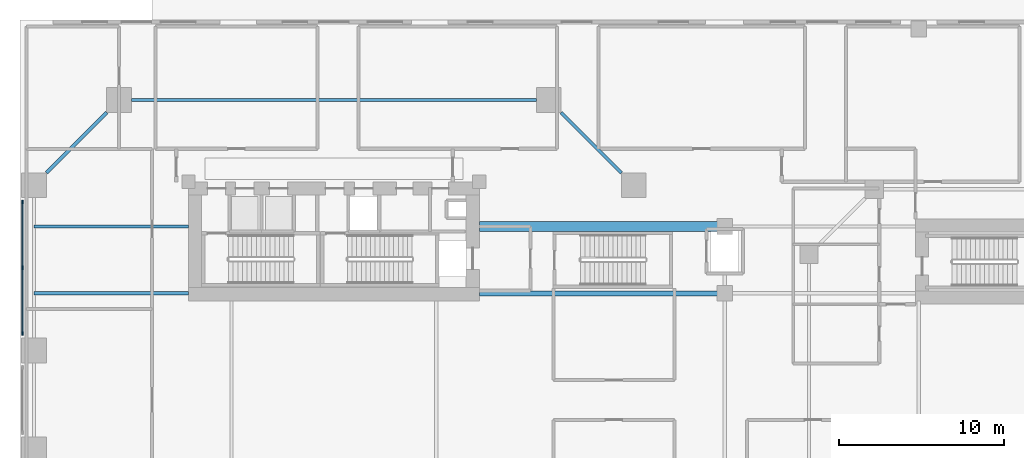
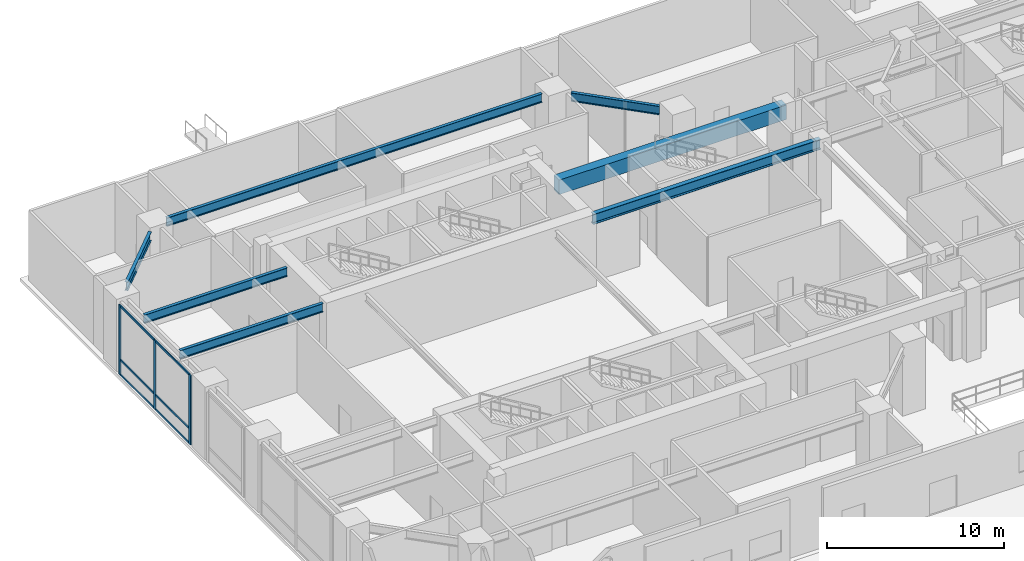
# One storey, part 4 of 18: 9 members, 7 beams, 1 element without a shape of its own.
"""IFC4 building model written with IfcOpenShell, lengths in metres."""

from ifc_helpers import new_model, si_unit, direction, frame, origin, origin_2d, place, context, subcontext, project, spatial, rectangle, i_section, extrude, source, transform, mapped, material, layer, layer_set, material_profile, profile_set, type_object, element, aggregate, save


model = new_model("IFC4")

# Units and contexts
model_context = context("Model", 3, precision=1e-05, world=origin(), true_north=direction((0.0, 1.0)))
body_context = subcontext(model_context, "Body", "Model", "MODEL_VIEW")
ifc_project = project(units=[si_unit("LENGTHUNIT", "METRE"), si_unit("AREAUNIT", "SQUARE_METRE"), si_unit("VOLUMEUNIT", "CUBIC_METRE"), si_unit("PLANEANGLEUNIT", "RADIAN"), si_unit("MASSUNIT", "GRAM", prefix="KILO"), si_unit("THERMODYNAMICTEMPERATUREUNIT", "KELVIN"), si_unit("POWERUNIT", "WATT")], contexts=[model_context])

# Site, building, storey
site_placement = place(None, origin())
site = spatial("IfcSite", under=ifc_project, at=site_placement, CompositionType="ELEMENT")
building_placement = place(site_placement, origin())
building = spatial("IfcBuilding", under=site, at=building_placement, Name="Qiaomeng Ring Towers", CompositionType="ELEMENT")
storey_placement = place(building_placement, origin())
storey = spatial("IfcBuildingStorey", under=building, at=storey_placement, Name="L00", CompositionType="ELEMENT", Elevation=0.0)

# Beams
ifc_material_1 = material(Name="Concrete C60", Category="concrete")
ifc_material_profile_1 = material_profile(ifc_material_1, rectangle(XDim=0.60009765625, YDim=1.0, at=origin_2d()), Name="RC BM 600x1000")
ifc_profile_set_1 = profile_set([ifc_material_profile_1], Name="Concrete C60")
beam_type_1 = type_object("IfcBeamType", Name="STR-BM-RC1000", PredefinedType="LINTEL", material=ifc_profile_set_1)
shared_shape_1 = source(origin(), body_context, "Body", "SweptSolid", [
    extrude(rectangle(XDim=0.60009765625, YDim=1.0, at=origin_2d()), origin(), (0.0, 0.0, 1.0), 14.849853515625),
])
beam_1_placement = place(storey_placement, frame((27.800048828125, 33.5, 4.280029296875), z_axis=(1.0, 0.0, 0.0), x_axis=(0.0, 1.0, 0.0)))
element("IfcBeam", 1, at=beam_1_placement, inside=storey, type_object=beam_type_1, Name="L00 beam STR-CB-L00-T1N", PredefinedType="LINTEL", context=body_context, shape_type="MappedRepresentation", body=[
    mapped(shared_shape_1, transform((0.0, 0.0, 0.0), x_axis=(1.0, 0.0, 0.0), y_axis=(0.0, 1.0, 0.0), z_axis=(0.0, 0.0, 1.0), scale=1.0)),
])
ifc_material_2 = material(Name="Steel Q355B", Category="steel")
ifc_material_profile_2 = material_profile(ifc_material_2, i_section(OverallWidth=0.199951171875, OverallDepth=0.60009765625, WebThickness=0.010986328125, FlangeThickness=0.01708984375, FilletRadius=0.02197265625, at=origin_2d()), Name="HN 600x200x11x17")
ifc_profile_set_2 = profile_set([ifc_material_profile_2], Name="Steel Q355B")
beam_type_2 = type_object("IfcBeamType", Name="STR-BM-HN600", PredefinedType="BEAM", material=ifc_profile_set_2)
shared_shape_2 = source(origin(), body_context, "Body", "SweptSolid", [
    extrude(i_section(OverallWidth=0.199951171875, OverallDepth=0.60009765625, WebThickness=0.010986328125, FlangeThickness=0.01708984375, FilletRadius=0.02197265625, at=origin_2d()), origin(), (0.0, 0.0, 1.0), 24.501953125),
])
beam_2_placement = place(storey_placement, frame((31.2509765625, 41.14990234375, 4.47998046875), z_axis=(-1.0, 0.0, 0.0), x_axis=(0.0, -1.0, 0.0)))
element("IfcBeam", 2, at=beam_2_placement, inside=storey, type_object=beam_type_2, Name="L00 beam STR-SP-L00-T1-4", PredefinedType="BEAM", context=body_context, shape_type="MappedRepresentation", body=[
    mapped(shared_shape_2, transform((0.0, 0.0, 0.0), x_axis=(1.0, 0.0, 0.0), y_axis=(0.0, 1.0, 0.0), z_axis=(0.0, 0.0, 1.0), scale=1.0)),
])
shared_shape_3 = source(origin(), body_context, "Body", "SweptSolid", [
    extrude(i_section(OverallWidth=0.199951171875, OverallDepth=0.60009765625, WebThickness=0.010986328125, FlangeThickness=0.01708984375, FilletRadius=0.02197265625, at=origin_2d()), origin(), (0.0, 0.0, 1.0), 5.163818359375),
])
for number, where, z_axis, x_axis, name in (
    (3, (36.400634765625, 36.749267578125, 4.47998046875), (-0.707106781187, 0.707106781187, 0.0), (-0.707106781187, -0.707106781187, 0.0), "L00 beam STR-SP-L00-T1-3"),
    (4, (5.250732421875, 40.400634765625, 4.47998046875), (-0.707106781187, -0.707106781187, 0.0), (0.707106781187, -0.707106781187, 0.0), "L00 beam STR-SP-L00-T1-5"),
):
    element("IfcBeam", number, at=place(storey_placement, frame(where, z_axis=z_axis, x_axis=x_axis)), inside=storey, type_object=beam_type_2, Name=name, PredefinedType="BEAM", context=body_context, shape_type="MappedRepresentation", body=[
        mapped(shared_shape_3, transform((0.0, 0.0, 0.0), x_axis=(1.0, 0.0, 0.0), y_axis=(0.0, 1.0, 0.0), z_axis=(0.0, 0.0, 1.0), scale=1.0)),
    ])
shared_shape_4 = source(origin(), body_context, "Body", "SweptSolid", [
    extrude(i_section(OverallWidth=0.199951171875, OverallDepth=0.60009765625, WebThickness=0.010986328125, FlangeThickness=0.01708984375, FilletRadius=0.02197265625, at=origin_2d()), origin(), (0.0, 0.0, 1.0), 9.349853515625),
])
for number, where, z_axis, x_axis, name in (
    (5, (0.85009765625, 29.449951171875, 4.47998046875), (1.0, 0.0, 0.0), (0.0, 1.0, 0.0), "L00 beam STR-BM-L00-W-2"),
    (6, (0.85009765625, 33.5, 4.47998046875), (1.0, 0.0, 0.0), (0.0, 1.0, 0.0), "L00 beam STR-BM-L00-W-3"),
):
    element("IfcBeam", number, at=place(storey_placement, frame(where, z_axis=z_axis, x_axis=x_axis)), inside=storey, type_object=beam_type_2, Name=name, PredefinedType="BEAM", context=body_context, shape_type="MappedRepresentation", body=[
        mapped(shared_shape_4, transform((0.0, 0.0, 0.0), x_axis=(1.0, 0.0, 0.0), y_axis=(0.0, 1.0, 0.0), z_axis=(0.0, 0.0, 1.0), scale=1.0)),
    ])
ifc_material_profile_3 = material_profile(ifc_material_2, i_section(OverallWidth=0.300048828125, OverallDepth=0.699951171875, WebThickness=0.012939453125, FlangeThickness=0.02392578125, FilletRadius=0.02392578125, at=origin_2d()), Name="HN 700x300x13x24")
ifc_profile_set_3 = profile_set([ifc_material_profile_3], Name="Steel Q355B")
beam_type_3 = type_object("IfcBeamType", Name="STR-BM-HN700", PredefinedType="BEAM", material=ifc_profile_set_3)
shared_shape_5 = source(origin(), body_context, "Body", "SweptSolid", [
    extrude(i_section(OverallWidth=0.300048828125, OverallDepth=0.699951171875, WebThickness=0.012939453125, FlangeThickness=0.02392578125, FilletRadius=0.02392578125, at=origin_2d()), origin(), (0.0, 0.0, 1.0), 14.849853515625),
])
beam_3_placement = place(storey_placement, frame((27.800048828125, 29.449951171875, 4.429931640625), z_axis=(1.0, 0.0, 0.0), x_axis=(0.0, 1.0, 0.0)))
element("IfcBeam", 7, at=beam_3_placement, inside=storey, type_object=beam_type_3, Name="L00 beam STR-BM-L00-M1-2", PredefinedType="BEAM", context=body_context, shape_type="MappedRepresentation", body=[
    mapped(shared_shape_5, transform((0.0, 0.0, 0.0), x_axis=(1.0, 0.0, 0.0), y_axis=(0.0, 1.0, 0.0), z_axis=(0.0, 0.0, 1.0), scale=1.0)),
])

# Curtain wall, members
ifc_material_3 = material(Name="Fluorocarbon dark-grey aluminium", Category="aluminium")
ifc_layer = layer(ifc_material_3, 0.179931640625, Name="Fluorocarbon dark-grey aluminium")
ifc_layer_set = layer_set([ifc_layer], Name="Fluorocarbon dark-grey aluminium")
curtain_wall_type = type_object("IfcCurtainWallType", Name="ARC-CW-1", PredefinedType="NOTDEFINED", material=ifc_layer_set)
curtain_wall_placement = place(storey_placement, origin())
curtain_wall = element("IfcCurtainWall", 8, at=curtain_wall_placement, inside=storey, type_object=curtain_wall_type, Name="L00 Curtain Wall CW1", PredefinedType="NOTDEFINED")
ifc_material_profile_4 = material_profile(ifc_material_3, rectangle(XDim=0.080078125, YDim=0.219970703125, at=origin_2d()), Name="ALU MULL 80x220")
ifc_profile_set_4 = profile_set([ifc_material_profile_4], Name="Fluorocarbon dark-grey aluminium")
member_type_1 = type_object("IfcMemberType", Name="ARC-CWM-180", PredefinedType="MULLION", material=ifc_profile_set_4)
shared_shape_6 = source(origin(), body_context, "Body", "SweptSolid", [
    extrude(rectangle(XDim=0.080078125, YDim=0.219970703125, at=origin_2d()), origin(), (0.0, 0.0, 1.0), 4.780029296875),
])
member_1_placement = place(storey_placement, frame((0.14990234375, 27.030029296875, 0.0), z_axis=(0.0, 0.0, 1.0), x_axis=(-1.0, 0.0, 0.0)))
member_1 = element("IfcMember", 9, at=member_1_placement, type_object=member_type_1, Name="CW1 mullion 1", PredefinedType="MULLION", context=body_context, shape_type="MappedRepresentation", body=[
    mapped(shared_shape_6, transform((0.0, 0.0, 0.0), x_axis=(1.0, 0.0, 0.0), y_axis=(0.0, 1.0, 0.0), z_axis=(0.0, 0.0, 1.0), scale=1.0)),
])
member_2_placement = place(storey_placement, frame((0.14990234375, 31.0, 0.0), z_axis=(0.0, 0.0, 1.0), x_axis=(-1.0, 0.0, 0.0)))
member_2 = element("IfcMember", 10, at=member_2_placement, type_object=member_type_1, Name="CW1 mullion 2", PredefinedType="MULLION", context=body_context, shape_type="MappedRepresentation", body=[
    mapped(shared_shape_6, transform((0.0, 0.0, 0.0), x_axis=(1.0, 0.0, 0.0), y_axis=(0.0, 1.0, 0.0), z_axis=(0.0, 0.0, 1.0), scale=1.0)),
])
member_3_placement = place(storey_placement, frame((0.14990234375, 34.969970703125, 0.0), z_axis=(0.0, 0.0, 1.0), x_axis=(-1.0, 0.0, 0.0)))
member_3 = element("IfcMember", 11, at=member_3_placement, type_object=member_type_1, Name="CW1 mullion 3", PredefinedType="MULLION", context=body_context, shape_type="MappedRepresentation", body=[
    mapped(shared_shape_6, transform((0.0, 0.0, 0.0), x_axis=(1.0, 0.0, 0.0), y_axis=(0.0, 1.0, 0.0), z_axis=(0.0, 0.0, 1.0), scale=1.0)),
])
ifc_material_profile_5 = material_profile(ifc_material_3, rectangle(XDim=0.070068359375, YDim=0.139892578125, at=origin_2d()), Name="ALU TRAN 70x140")
ifc_profile_set_5 = profile_set([ifc_material_profile_5], Name="Fluorocarbon dark-grey aluminium")
member_type_2 = type_object("IfcMemberType", Name="ARC-CWT-140", PredefinedType="USERDEFINED", material=ifc_profile_set_5)
shared_shape_7 = source(origin(), body_context, "Body", "SweptSolid", [
    extrude(rectangle(XDim=0.070068359375, YDim=0.139892578125, at=origin_2d()), origin(), (0.0, 0.0, 1.0), 3.889892578125),
])
member_4_placement = place(storey_placement, frame((0.14990234375, 27.070068359375, 0.034912109375), z_axis=(0.0, 1.0, 0.0), x_axis=(-1.0, 0.0, 0.0)))
member_4 = element("IfcMember", 12, at=member_4_placement, type_object=member_type_2, Name="CW1 transom 1.1", ObjectType="TRANSOM", PredefinedType="USERDEFINED", context=body_context, shape_type="MappedRepresentation", body=[
    mapped(shared_shape_7, transform((0.0, 0.0, 0.0), x_axis=(1.0, 0.0, 0.0), y_axis=(0.0, 1.0, 0.0), z_axis=(0.0, 0.0, 1.0), scale=1.0)),
])
member_5_placement = place(storey_placement, frame((0.14990234375, 27.070068359375, 1.050048828125), z_axis=(0.0, 1.0, 0.0), x_axis=(-1.0, 0.0, 0.0)))
member_5 = element("IfcMember", 13, at=member_5_placement, type_object=member_type_2, Name="CW1 transom 1.2", ObjectType="TRANSOM", PredefinedType="USERDEFINED", context=body_context, shape_type="MappedRepresentation", body=[
    mapped(shared_shape_7, transform((0.0, 0.0, 0.0), x_axis=(1.0, 0.0, 0.0), y_axis=(0.0, 1.0, 0.0), z_axis=(0.0, 0.0, 1.0), scale=1.0)),
])
member_6_placement = place(storey_placement, frame((0.14990234375, 27.070068359375, 4.7451171875), z_axis=(0.0, 1.0, 0.0), x_axis=(-1.0, 0.0, 0.0)))
member_6 = element("IfcMember", 14, at=member_6_placement, type_object=member_type_2, Name="CW1 transom 1.3", ObjectType="TRANSOM", PredefinedType="USERDEFINED", context=body_context, shape_type="MappedRepresentation", body=[
    mapped(shared_shape_7, transform((0.0, 0.0, 0.0), x_axis=(1.0, 0.0, 0.0), y_axis=(0.0, 1.0, 0.0), z_axis=(0.0, 0.0, 1.0), scale=1.0)),
])
member_7_placement = place(storey_placement, frame((0.14990234375, 31.0400390625, 0.034912109375), z_axis=(0.0, 1.0, 0.0), x_axis=(-1.0, 0.0, 0.0)))
member_7 = element("IfcMember", 15, at=member_7_placement, type_object=member_type_2, Name="CW1 transom 2.1", ObjectType="TRANSOM", PredefinedType="USERDEFINED", context=body_context, shape_type="MappedRepresentation", body=[
    mapped(shared_shape_7, transform((0.0, 0.0, 0.0), x_axis=(1.0, 0.0, 0.0), y_axis=(0.0, 1.0, 0.0), z_axis=(0.0, 0.0, 1.0), scale=1.0)),
])
member_8_placement = place(storey_placement, frame((0.14990234375, 31.0400390625, 1.050048828125), z_axis=(0.0, 1.0, 0.0), x_axis=(-1.0, 0.0, 0.0)))
member_8 = element("IfcMember", 16, at=member_8_placement, type_object=member_type_2, Name="CW1 transom 2.2", ObjectType="TRANSOM", PredefinedType="USERDEFINED", context=body_context, shape_type="MappedRepresentation", body=[
    mapped(shared_shape_7, transform((0.0, 0.0, 0.0), x_axis=(1.0, 0.0, 0.0), y_axis=(0.0, 1.0, 0.0), z_axis=(0.0, 0.0, 1.0), scale=1.0)),
])
member_9_placement = place(storey_placement, frame((0.14990234375, 31.0400390625, 4.7451171875), z_axis=(0.0, 1.0, 0.0), x_axis=(-1.0, 0.0, 0.0)))
member_9 = element("IfcMember", 17, at=member_9_placement, type_object=member_type_2, Name="CW1 transom 2.3", ObjectType="TRANSOM", PredefinedType="USERDEFINED", context=body_context, shape_type="MappedRepresentation", body=[
    mapped(shared_shape_7, transform((0.0, 0.0, 0.0), x_axis=(1.0, 0.0, 0.0), y_axis=(0.0, 1.0, 0.0), z_axis=(0.0, 0.0, 1.0), scale=1.0)),
])
aggregate(curtain_wall, [member_1, member_2, member_3, member_4, member_5, member_6, member_7, member_8, member_9])

save(model, "model.ifc")
